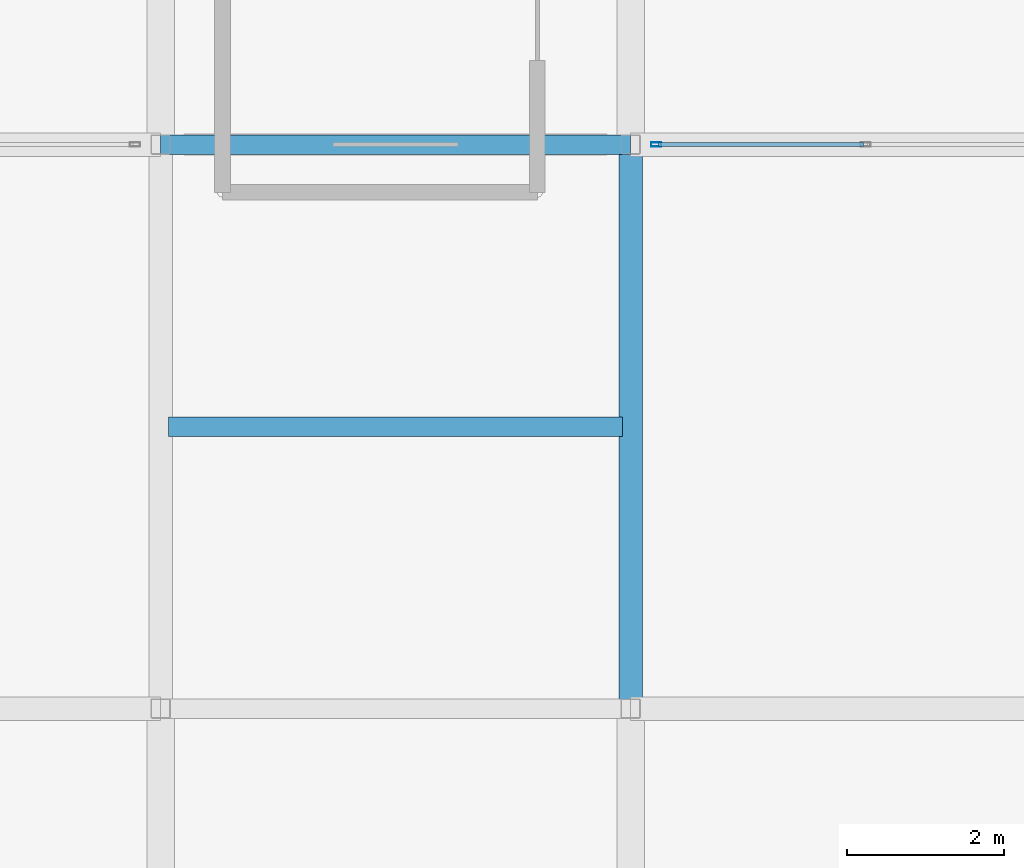
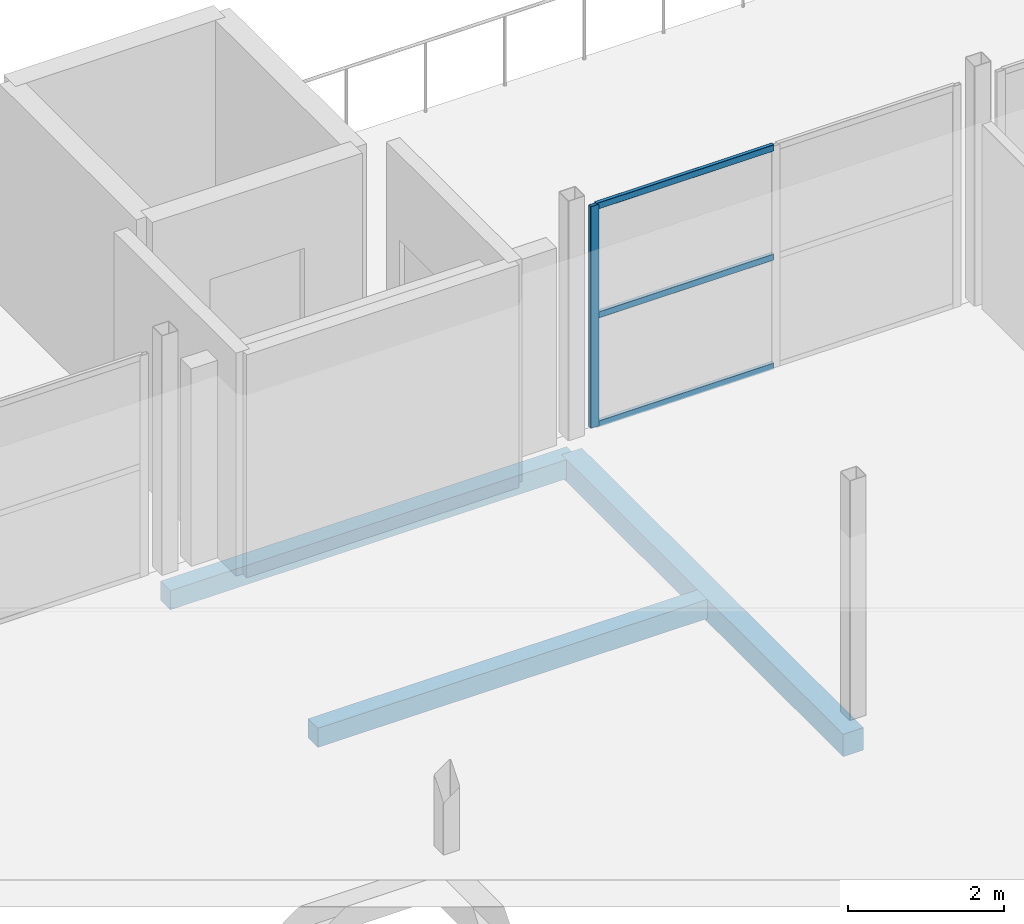
# One storey, part 46 of 239: 4 members, 3 beams, 1 element without a shape of its own.
"""IFC4 building model written with IfcOpenShell, lengths in metres."""

from ifc_helpers import new_model, si_unit, direction, frame, origin, origin_2d, place, context, subcontext, project, spatial, rectangle, hollow_rectangle, extrude, material, layer, layer_set, material_profile, profile_set, type_object, element, aggregate, save


model = new_model("IFC4")

# Units and contexts
model_context = context("Model", 3, precision=1e-05, world=origin(), true_north=direction((0.0, 1.0)))
body_context = subcontext(model_context, "Body", "Model", "MODEL_VIEW")
ifc_project = project(units=[si_unit("LENGTHUNIT", "METRE"), si_unit("AREAUNIT", "SQUARE_METRE"), si_unit("VOLUMEUNIT", "CUBIC_METRE"), si_unit("PLANEANGLEUNIT", "RADIAN"), si_unit("MASSUNIT", "GRAM", prefix="KILO")], contexts=[model_context])

# Site, building, storey
site_placement = place(None, origin())
site = spatial("IfcSite", under=ifc_project, at=site_placement, CompositionType="ELEMENT")
building_placement = place(site_placement, origin())
building = spatial("IfcBuilding", under=site, at=building_placement, Name="Dunvalen Ferry Terminal", CompositionType="ELEMENT")
storey_placement = place(building_placement, frame((0.0, 0.0, 9.840087890625)))
storey = spatial("IfcBuildingStorey", under=building, at=storey_placement, Name="L02", CompositionType="ELEMENT", Elevation=9.840087890625)

# Curtain wall, members
ifc_material_1 = material(Name="Anodised marine aluminium and solar-control glazing", Category="aluminium")
ifc_layer = layer(ifc_material_1, 0.159912109375, Name="Anodised marine aluminium and solar-control glazing")
ifc_layer_set = layer_set([ifc_layer], Name="Anodised marine aluminium and solar-control glazing")
curtain_wall_type = type_object("IfcCurtainWallType", Name="ENV-CW-SYS-09", PredefinedType="NOTDEFINED", material=ifc_layer_set)
curtain_wall_placement = place(storey_placement, origin())
curtain_wall = element("IfcCurtainWall", 1, at=curtain_wall_placement, inside=storey, type_object=curtain_wall_type, Name="L02 Curtain Wall CW-PAV-N-3", PredefinedType="NOTDEFINED")
ifc_material_2 = material(Name="Anodised marine aluminium EN AW-6063 T6", Category="aluminium")
ifc_material_profile_1 = material_profile(ifc_material_2, hollow_rectangle(XDim=0.054931640625, YDim=0.1298828125, WallThickness=0.003173828125, InnerFilletRadius=0.003173828125, OuterFilletRadius=0.00634765625, at=origin_2d()), Name="Anodised marine aluminium EN AW-6063 T6")
ifc_profile_set_1 = profile_set([ifc_material_profile_1], Name="Anodised marine aluminium EN AW-6063 T6")
member_type_1 = type_object("IfcMemberType", Name="ENV-CW-MUL-4", PredefinedType="MULLION", material=ifc_profile_set_1)
member_1_placement = place(storey_placement, frame((126.327392578125, 36.0, 0.0), z_axis=(0.0, 0.0, 1.0), x_axis=(0.0, 1.0, 0.0)))
member_1 = element("IfcMember", 2, at=member_1_placement, type_object=member_type_1, Name="CW-09 mullion 1", PredefinedType="MULLION", context=body_context, shape_type="SweptSolid", body=[
    extrude(hollow_rectangle(XDim=0.054931640625, YDim=0.1298828125, WallThickness=0.003173828125, InnerFilletRadius=0.003173828125, OuterFilletRadius=0.00634765625, at=origin_2d()), origin(), (0.0, 0.0, 1.0), 3.4599609375),
])
ifc_material_profile_2 = material_profile(ifc_material_2, hollow_rectangle(XDim=0.054931640625, YDim=0.10009765625, WallThickness=0.0029296875, InnerFilletRadius=0.0029296875, OuterFilletRadius=0.006103515625, at=origin_2d()), Name="Anodised marine aluminium EN AW-6063 T6")
ifc_profile_set_2 = profile_set([ifc_material_profile_2], Name="Anodised marine aluminium EN AW-6063 T6")
member_type_2 = type_object("IfcMemberType", Name="ENV-CW-TRN-4", PredefinedType="USERDEFINED", material=ifc_profile_set_2)
member_2_placement = place(storey_placement, frame((126.35498046875, 36.0, 0.02734375), z_axis=(1.0, 0.0, 0.0), x_axis=(0.0, 1.0, 0.0)))
member_2 = element("IfcMember", 3, at=member_2_placement, type_object=member_type_2, Name="CW-09 transom 1.1", ObjectType="TRANSOM", PredefinedType="USERDEFINED", context=body_context, shape_type="SweptSolid", body=[
    extrude(hollow_rectangle(XDim=0.054931640625, YDim=0.10009765625, WallThickness=0.0029296875, InnerFilletRadius=0.0029296875, OuterFilletRadius=0.006103515625, at=origin_2d()), origin(), (0.0, 0.0, 1.0), 2.617431640625),
])
member_3_placement = place(storey_placement, frame((126.35498046875, 36.0, 1.72998046875), z_axis=(1.0, 0.0, 0.0), x_axis=(0.0, 1.0, 0.0)))
member_3 = element("IfcMember", 4, at=member_3_placement, type_object=member_type_2, Name="CW-09 transom 1.2", ObjectType="TRANSOM", PredefinedType="USERDEFINED", context=body_context, shape_type="SweptSolid", body=[
    extrude(hollow_rectangle(XDim=0.054931640625, YDim=0.10009765625, WallThickness=0.0029296875, InnerFilletRadius=0.0029296875, OuterFilletRadius=0.006103515625, at=origin_2d()), origin(), (0.0, 0.0, 1.0), 2.617431640625),
])
member_4_placement = place(storey_placement, frame((126.35498046875, 36.0, 3.432373046875), z_axis=(1.0, 0.0, 0.0), x_axis=(0.0, 1.0, 0.0)))
member_4 = element("IfcMember", 5, at=member_4_placement, type_object=member_type_2, Name="CW-09 transom 1.3", ObjectType="TRANSOM", PredefinedType="USERDEFINED", context=body_context, shape_type="SweptSolid", body=[
    extrude(hollow_rectangle(XDim=0.054931640625, YDim=0.10009765625, WallThickness=0.0029296875, InnerFilletRadius=0.0029296875, OuterFilletRadius=0.006103515625, at=origin_2d()), origin(), (0.0, 0.0, 1.0), 2.617431640625),
])
aggregate(curtain_wall, [member_1, member_2, member_3, member_4])

# Beams
ifc_material_3 = material(Name="Concrete C35/45", Category="concrete")
ifc_material_profile_3 = material_profile(ifc_material_3, rectangle(XDim=0.25, YDim=0.300048828125, at=origin_2d()), Name="Concrete C35/45")
ifc_profile_set_3 = profile_set([ifc_material_profile_3], Name="Concrete C35/45")
beam_type_1 = type_object("IfcBeamType", Name="STR-BM-RCL300", PredefinedType="LINTEL", material=ifc_profile_set_3)
beam_1_placement = place(storey_placement, frame((120.0, 36.0, -0.43017578125), z_axis=(1.0, 0.0, 0.0), x_axis=(0.0, 1.0, 0.0)))
element("IfcBeam", 6, at=beam_1_placement, inside=storey, type_object=beam_type_1, Name="L02 V4 Primary Beam X-049", PredefinedType="LINTEL", context=body_context, shape_type="SweptSolid", body=[
    extrude(rectangle(XDim=0.25, YDim=0.300048828125, at=origin_2d()), origin(), (0.0, 0.0, 1.0), 6.0),
])
beam_2_placement = place(storey_placement, frame((120.10009765625, 32.39990234375, -0.43017578125), z_axis=(1.0, 0.0, 0.0), x_axis=(0.0, 1.0, 0.0)))
element("IfcBeam", 7, at=beam_2_placement, inside=storey, type_object=beam_type_1, Name="L02 V4 Secondary Joist 002", PredefinedType="LINTEL", context=body_context, shape_type="SweptSolid", body=[
    extrude(rectangle(XDim=0.25, YDim=0.300048828125, at=origin_2d()), origin(), (0.0, 0.0, 1.0), 5.7998046875),
])
ifc_material_4 = material(Name="Concrete C40/50", Category="concrete")
ifc_material_profile_4 = material_profile(ifc_material_4, rectangle(XDim=0.300048828125, YDim=0.35009765625, at=origin_2d()), Name="Concrete C40/50")
ifc_profile_set_4 = profile_set([ifc_material_profile_4], Name="Concrete C40/50")
beam_type_2 = type_object("IfcBeamType", Name="STR-BM-RCL350", PredefinedType="LINTEL", material=ifc_profile_set_4)
beam_3_placement = place(storey_placement, frame((126.0, 28.800048828125, -0.455078125), z_axis=(0.0, 1.0, 0.0), x_axis=(-1.0, 0.0, 0.0)))
element("IfcBeam", 8, at=beam_3_placement, inside=storey, type_object=beam_type_2, Name="L02 V4 Primary Girder Y-084", PredefinedType="LINTEL", context=body_context, shape_type="SweptSolid", body=[
    extrude(rectangle(XDim=0.300048828125, YDim=0.35009765625, at=origin_2d()), origin(), (0.0, 0.0, 1.0), 7.199951171875),
])

save(model, "model.ifc")
